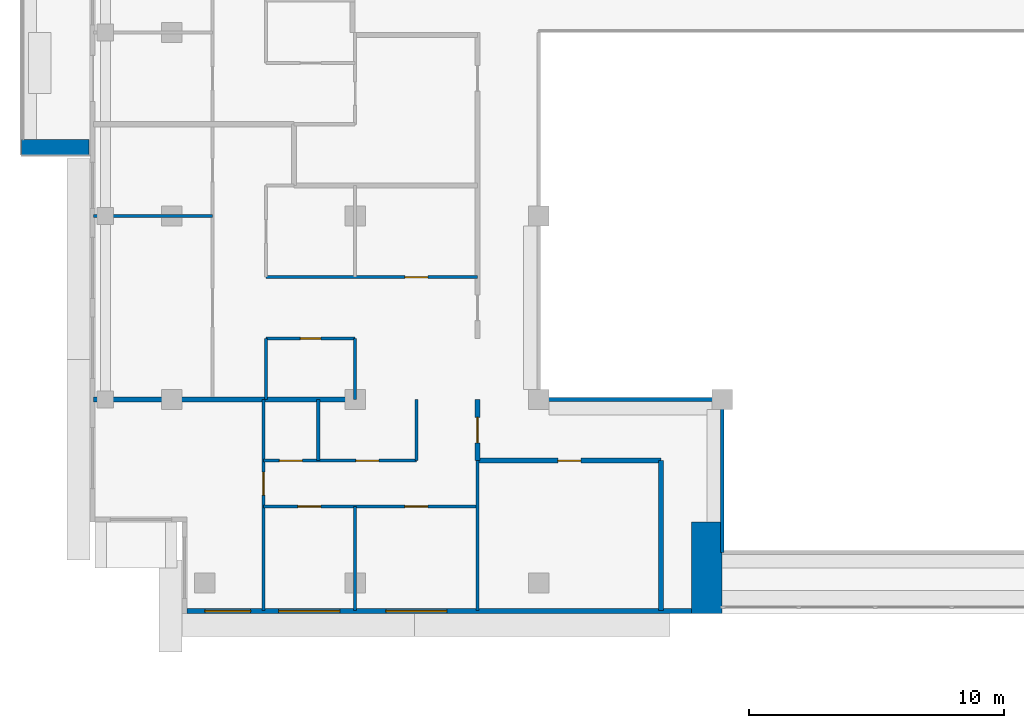
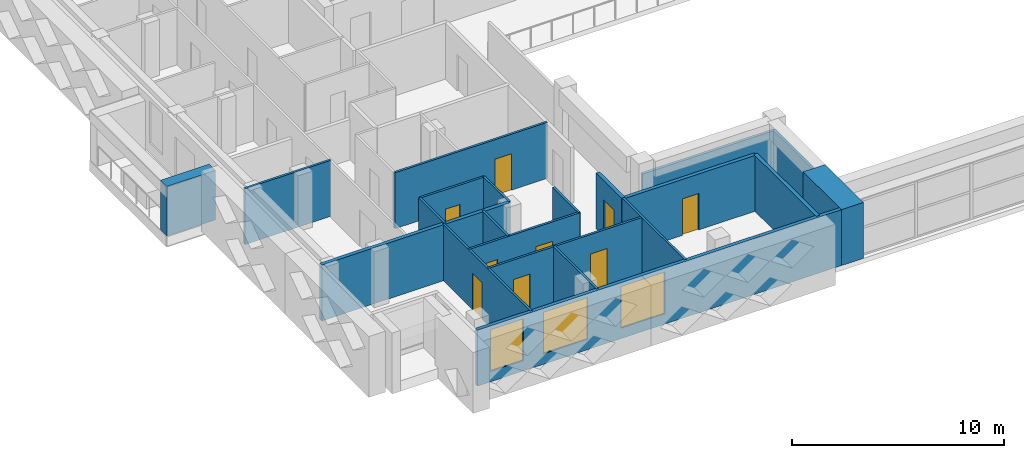
# One storey, part 6 of 19: 21 walls, 9 doors, 3 windows, 12 openings.
"""IFC4 building model written with IfcOpenShell, lengths in metres."""

from ifc_helpers import new_model, si_unit, direction, frame, frame_2d, origin, place, context, subcontext, project, spatial, rectangle, extrude, material, layer, layer_set, type_object, element, fill, save


model = new_model("IFC4")

# Units and contexts
model_context = context("Model", 3, precision=1e-05, world=origin(), true_north=direction((0.0, 1.0)))
body_context = subcontext(model_context, "Body", "Model", "MODEL_VIEW")
ifc_project = project(units=[si_unit("LENGTHUNIT", "METRE"), si_unit("AREAUNIT", "SQUARE_METRE"), si_unit("VOLUMEUNIT", "CUBIC_METRE"), si_unit("PLANEANGLEUNIT", "RADIAN"), si_unit("MASSUNIT", "GRAM", prefix="KILO")], contexts=[model_context])

# Site, building, storey
site_placement = place(None, origin())
site = spatial("IfcSite", under=ifc_project, at=site_placement, CompositionType="ELEMENT")
building_placement = place(site_placement, origin())
building = spatial("IfcBuilding", under=site, at=building_placement, Name="Saffron Iwan Residences", CompositionType="ELEMENT")
storey_placement = place(building_placement, frame((0.0, 0.0, 232.5)))
storey = spatial("IfcBuildingStorey", under=building, at=storey_placement, Name="L62", CompositionType="ELEMENT", Elevation=232.5)

# Walls
ifc_material_1 = material(Name="Fire-rated glazing", Category="glass")
ifc_layer_1 = layer(ifc_material_1, 0.14990234375)
ifc_layer_set_1 = layer_set([ifc_layer_1], Name="Fire-rated glazing")
wall_type_1 = type_object("IfcWallType", Name="Atrium glazed screen 150", PredefinedType="SOLIDWALL", material=ifc_layer_set_1)
wall_1_placement = place(storey_placement, frame((36.0, 48.0, 0.0), z_axis=(0.0, 0.0, 1.0), x_axis=(1.0, 0.0, 0.0)))
element("IfcWall", 1, at=wall_1_placement, inside=storey, type_object=wall_type_1, Name="W-L62-SCREEN-h48-36", PredefinedType="SOLIDWALL", context=body_context, shape_type="SweptSolid", body=[
    extrude(rectangle(XDim=7.199951171875, YDim=0.14990234375, at=frame_2d((3.60009765625, 0.0))), origin(), (0.0, 0.0, 1.0), 2.320068359375),
])
wall_2_placement = place(storey_placement, frame((43.199951171875, 42.0, 0.0), z_axis=(0.0, 0.0, 1.0), x_axis=(0.0, 1.0, 0.0)))
element("IfcWall", 2, at=wall_2_placement, inside=storey, type_object=wall_type_1, Name="W-L62-SCREEN-v43.2-42", PredefinedType="SOLIDWALL", context=body_context, shape_type="SweptSolid", body=[
    extrude(rectangle(XDim=6.0, YDim=0.14990234375, at=frame_2d((3.0, 0.0))), origin(), (0.0, 0.0, 1.0), 2.320068359375),
])
ifc_material_2 = material(Name="Concrete C50/60 white painted", Category="concrete")
ifc_layer_2 = layer(ifc_material_2, 0.60009765625)
ifc_layer_set_2 = layer_set([ifc_layer_2], Name="Concrete C50/60 white painted")
wall_type_2 = type_object("IfcWallType", Name="BALCONY FIN 600", PredefinedType="SOLIDWALL", material=ifc_layer_set_2)
wall_3_placement = place(storey_placement, frame((18.35009765625, 57.89990234375, 0.0), z_axis=(0.0, 0.0, 1.0), x_axis=(-1.0, 0.0, 0.0)))
element("IfcWall", 3, at=wall_3_placement, inside=storey, type_object=wall_type_2, Name="Balcony fin L62 F8-0b", PredefinedType="SOLIDWALL", context=body_context, shape_type="SweptSolid", body=[
    extrude(rectangle(XDim=2.650146484375, YDim=0.60009765625, at=frame_2d((1.3251953125, 0.0))), origin(), (0.0, 0.0, 1.0), 2.85009765625),
])

# Wall, openings, windows
ifc_material_3 = material(Name="Concrete C40/50", Category="concrete")
ifc_layer_3 = layer(ifc_material_3, 0.199951171875)
ifc_layer_set_3 = layer_set([ifc_layer_3], Name="Concrete C40/50")
wall_type_3 = type_object("IfcWallType", Name="EXTERNAL WALL 200", PredefinedType="SOLIDWALL", material=ifc_layer_set_3)
wall_4_placement = place(storey_placement, frame((22.199951171875, 39.699951171875, 0.0), z_axis=(0.0, 0.0, 1.0), x_axis=(1.0, 0.0, 0.0)))
wall_4 = element("IfcWall", 4, at=wall_4_placement, inside=storey, type_object=wall_type_3, Name="External wall L62 F11.0", PredefinedType="SOLIDWALL", context=body_context, shape_type="SweptSolid", body=[
    extrude(rectangle(XDim=19.800048828125, YDim=0.199951171875, at=frame_2d((9.89990234375, 0.0))), origin(), (0.0, 0.0, 1.0), 3.219970703125),
])
opening_1_placement = place(wall_4_placement, frame((0.699951171875, 0.0, 0.60009765625)))
opening_1 = element("IfcOpeningElement", 5, at=opening_1_placement, cuts=wall_4, Name="Opening W8", PredefinedType="OPENING", context=body_context, shape_type="SweptSolid", body=[
    extrude(rectangle(XDim=1.800048828125, YDim=2.39990234375, at=frame_2d((0.89990234375, 1.199951171875))), frame((0.0, 0.10986328125, 0.0), z_axis=(0.0, -1.0, 0.0), x_axis=(1.0, 0.0, 0.0)), (0.0, 0.0, 1.0), 0.219970703125),
])
opening_2_placement = place(wall_4_placement, frame((3.60009765625, 0.0, 0.60009765625)))
opening_2 = element("IfcOpeningElement", 6, at=opening_2_placement, cuts=wall_4, Name="Opening W1", PredefinedType="OPENING", context=body_context, shape_type="SweptSolid", body=[
    extrude(rectangle(XDim=2.39990234375, YDim=2.39990234375, at=frame_2d((1.199951171875, 1.199951171875))), frame((0.0, 0.10986328125, 0.0), z_axis=(0.0, -1.0, 0.0), x_axis=(1.0, 0.0, 0.0)), (0.0, 0.0, 1.0), 0.219970703125),
])
opening_3_placement = place(wall_4_placement, frame((7.800048828125, 0.0, 0.60009765625)))
opening_3 = element("IfcOpeningElement", 7, at=opening_3_placement, cuts=wall_4, Name="Opening W1", PredefinedType="OPENING", context=body_context, shape_type="SweptSolid", body=[
    extrude(rectangle(XDim=2.39990234375, YDim=2.39990234375, at=frame_2d((1.199951171875, 1.199951171875))), frame((0.0, 0.10986328125, 0.0), z_axis=(0.0, -1.0, 0.0), x_axis=(1.0, 0.0, 0.0)), (0.0, 0.0, 1.0), 0.219970703125),
])
ifc_material_4 = material(Name="Clear glass, laminated double glazed", Category="glass")
window_type_1 = type_object("IfcWindowType", Name="WINDOW 1800 x 2400", PartitioningType="DOUBLE_PANEL_VERTICAL", PredefinedType="WINDOW", material=ifc_material_4)
window_1_placement = place(opening_1_placement, origin())
window_1 = element("IfcWindow", 8, at=window_1_placement, inside=storey, type_object=window_type_1, Name="Window L62 F11.0", OverallHeight=2.39990234375, OverallWidth=1.800048828125, PartitioningType="DOUBLE_PANEL_VERTICAL", PredefinedType="WINDOW", context=body_context, shape_type="SweptSolid", body=[
    extrude(rectangle(XDim=1.800048828125, YDim=2.39990234375, at=frame_2d((0.89990234375, 1.199951171875))), frame((0.0, 0.030029296875, 0.0), z_axis=(0.0, -1.0, 0.0), x_axis=(1.0, 0.0, 0.0)), (0.0, 0.0, 1.0), 0.06005859375),
])
fill(opening_1, window_1)
window_type_2 = type_object("IfcWindowType", Name="WINDOW 2400 x 2400", PartitioningType="DOUBLE_PANEL_VERTICAL", PredefinedType="WINDOW", material=ifc_material_4)
window_2_placement = place(opening_2_placement, origin())
window_2 = element("IfcWindow", 9, at=window_2_placement, inside=storey, type_object=window_type_2, Name="Window L62 F11.1", OverallHeight=2.39990234375, OverallWidth=2.39990234375, PartitioningType="DOUBLE_PANEL_VERTICAL", PredefinedType="WINDOW", context=body_context, shape_type="SweptSolid", body=[
    extrude(rectangle(XDim=2.39990234375, YDim=2.39990234375, at=frame_2d((1.199951171875, 1.199951171875))), frame((0.0, 0.030029296875, 0.0), z_axis=(0.0, -1.0, 0.0), x_axis=(1.0, 0.0, 0.0)), (0.0, 0.0, 1.0), 0.06005859375),
])
fill(opening_2, window_2)
window_3_placement = place(opening_3_placement, origin())
window_3 = element("IfcWindow", 10, at=window_3_placement, inside=storey, type_object=window_type_2, Name="Window L62 F11.2", OverallHeight=2.39990234375, OverallWidth=2.39990234375, PartitioningType="DOUBLE_PANEL_VERTICAL", PredefinedType="WINDOW", context=body_context, shape_type="SweptSolid", body=[
    extrude(rectangle(XDim=2.39990234375, YDim=2.39990234375, at=frame_2d((1.199951171875, 1.199951171875))), frame((0.0, 0.030029296875, 0.0), z_axis=(0.0, -1.0, 0.0), x_axis=(1.0, 0.0, 0.0)), (0.0, 0.0, 1.0), 0.06005859375),
])
fill(opening_3, window_3)

# Wall
ifc_material_5 = material(Name="Fire-rated gypsum board wall")
ifc_layer_4 = layer(ifc_material_5, 0.199951171875)
ifc_layer_set_4 = layer_set([ifc_layer_4], Name="Fire-rated gypsum board wall")
wall_type_4 = type_object("IfcWallType", Name="Flat demising wall 200", PredefinedType="SOLIDWALL", material=ifc_layer_set_4)
wall_5_placement = place(storey_placement, frame((18.52490234375, 48.0, 0.0), z_axis=(0.0, 0.0, 1.0), x_axis=(1.0, 0.0, 0.0)))
element("IfcWall", 11, at=wall_5_placement, inside=storey, type_object=wall_type_4, Name="W-L62-DEMISE-h48-18.525", PredefinedType="SOLIDWALL", context=body_context, shape_type="SweptSolid", body=[
    extrude(rectangle(XDim=10.275146484375, YDim=0.199951171875, at=frame_2d((5.1376953125, 0.0))), origin(), (0.0, 0.0, 1.0), 3.219970703125),
])

# Wall, openings, doors
ifc_material_6 = material(Name="Gypsum board partition")
ifc_layer_5 = layer(ifc_material_6, 0.1201171875)
ifc_layer_set_5 = layer_set([ifc_layer_5], Name="Gypsum board partition")
wall_type_5 = type_object("IfcWallType", Name="Flat partition 120", PredefinedType="PARTITIONING", material=ifc_layer_set_5)
wall_6_placement = place(storey_placement, frame((25.199951171875, 43.800048828125, 0.0), z_axis=(0.0, 0.0, 1.0), x_axis=(1.0, 0.0, 0.0)))
wall_6 = element("IfcWall", 12, at=wall_6_placement, inside=storey, type_object=wall_type_5, Name="W-L62-PART-h43.8-25.2", PredefinedType="PARTITIONING", context=body_context, shape_type="SweptSolid", body=[
    extrude(rectangle(XDim=8.400146484375, YDim=0.1201171875, at=frame_2d((4.2001953125, 0.0))), origin(), (0.0, 0.0, 1.0), 3.219970703125),
])
opening_4_placement = place(wall_6_placement, frame((1.35009765625, 0.0, 0.0)))
opening_4 = element("IfcOpeningElement", 13, at=opening_4_placement, cuts=wall_6, Name="Opening FD2", PredefinedType="OPENING", context=body_context, shape_type="SweptSolid", body=[
    extrude(rectangle(XDim=0.89990234375, YDim=2.10009765625, at=frame_2d((0.449951171875, 1.050048828125))), frame((0.0, 0.070068359375, 0.0), z_axis=(0.0, -1.0, 0.0), x_axis=(1.0, 0.0, 0.0)), (0.0, 0.0, 1.0), 0.14013671875),
])
opening_5_placement = place(wall_6_placement, frame((5.550048828125, 0.0, 0.0)))
opening_5 = element("IfcOpeningElement", 14, at=opening_5_placement, cuts=wall_6, Name="Opening FD2", PredefinedType="OPENING", context=body_context, shape_type="SweptSolid", body=[
    extrude(rectangle(XDim=0.89990234375, YDim=2.10009765625, at=frame_2d((0.449951171875, 1.050048828125))), frame((0.0, 0.070068359375, 0.0), z_axis=(0.0, -1.0, 0.0), x_axis=(1.0, 0.0, 0.0)), (0.0, 0.0, 1.0), 0.14013671875),
])
ifc_material_7 = material(Name="Timber door", Category="wood")
door_type_1 = type_object("IfcDoorType", Name="Flat door 900", OperationType="NOTDEFINED", PredefinedType="DOOR", material=ifc_material_7)
door_1_placement = place(opening_4_placement, origin())
door_1 = element("IfcDoor", 15, at=door_1_placement, inside=storey, type_object=door_type_1, Name="Door L62-003", OperationType="SINGLE_SWING_LEFT", OverallHeight=2.10009765625, OverallWidth=0.89990234375, PredefinedType="DOOR", context=body_context, shape_type="SweptSolid", body=[
    extrude(rectangle(XDim=0.89990234375, YDim=2.10009765625, at=frame_2d((0.449951171875, 1.050048828125))), frame((0.0, 0.02490234375, 0.0), z_axis=(0.0, -1.0, 0.0), x_axis=(1.0, 0.0, 0.0)), (0.0, 0.0, 1.0), 0.050048828125),
])
fill(opening_4, door_1)
door_2_placement = place(opening_5_placement, origin())
door_2 = element("IfcDoor", 16, at=door_2_placement, inside=storey, type_object=door_type_1, Name="Door L62-004", OperationType="SINGLE_SWING_LEFT", OverallHeight=2.10009765625, OverallWidth=0.89990234375, PredefinedType="DOOR", context=body_context, shape_type="SweptSolid", body=[
    extrude(rectangle(XDim=0.89990234375, YDim=2.10009765625, at=frame_2d((0.449951171875, 1.050048828125))), frame((0.0, 0.02490234375, 0.0), z_axis=(0.0, -1.0, 0.0), x_axis=(1.0, 0.0, 0.0)), (0.0, 0.0, 1.0), 0.050048828125),
])
fill(opening_5, door_2)

wall_7_placement = place(storey_placement, frame((25.199951171875, 45.60009765625, 0.0), z_axis=(0.0, 0.0, 1.0), x_axis=(1.0, 0.0, 0.0)))
wall_7 = element("IfcWall", 17, at=wall_7_placement, inside=storey, type_object=wall_type_5, Name="W-L62-PART-h45.6-25.2", PredefinedType="PARTITIONING", context=body_context, shape_type="SweptSolid", body=[
    extrude(rectangle(XDim=6.0, YDim=0.1201171875, at=frame_2d((3.0, 0.0))), origin(), (0.0, 0.0, 1.0), 3.219970703125),
])
opening_6_placement = place(wall_7_placement, frame((0.625, 0.0, 0.0)))
opening_6 = element("IfcOpeningElement", 18, at=opening_6_placement, cuts=wall_7, Name="Opening FD2", PredefinedType="OPENING", context=body_context, shape_type="SweptSolid", body=[
    extrude(rectangle(XDim=0.89990234375, YDim=2.10009765625, at=frame_2d((0.449951171875, 1.050048828125))), frame((0.0, 0.070068359375, 0.0), z_axis=(0.0, -1.0, 0.0), x_axis=(1.0, 0.0, 0.0)), (0.0, 0.0, 1.0), 0.14013671875),
])
opening_7_placement = place(wall_7_placement, frame((3.625, 0.0, 0.0)))
opening_7 = element("IfcOpeningElement", 19, at=opening_7_placement, cuts=wall_7, Name="Opening FD2", PredefinedType="OPENING", context=body_context, shape_type="SweptSolid", body=[
    extrude(rectangle(XDim=0.89990234375, YDim=2.10009765625, at=frame_2d((0.449951171875, 1.050048828125))), frame((0.0, 0.070068359375, 0.0), z_axis=(0.0, -1.0, 0.0), x_axis=(1.0, 0.0, 0.0)), (0.0, 0.0, 1.0), 0.14013671875),
])
door_3_placement = place(opening_6_placement, origin())
door_3 = element("IfcDoor", 20, at=door_3_placement, inside=storey, type_object=door_type_1, Name="Door L62-005", OperationType="SINGLE_SWING_RIGHT", OverallHeight=2.10009765625, OverallWidth=0.89990234375, PredefinedType="DOOR", context=body_context, shape_type="SweptSolid", body=[
    extrude(rectangle(XDim=0.89990234375, YDim=2.10009765625, at=frame_2d((0.449951171875, 1.050048828125))), frame((0.0, 0.02490234375, 0.0), z_axis=(0.0, -1.0, 0.0), x_axis=(1.0, 0.0, 0.0)), (0.0, 0.0, 1.0), 0.050048828125),
])
fill(opening_6, door_3)
door_4_placement = place(opening_7_placement, origin())
door_4 = element("IfcDoor", 21, at=door_4_placement, inside=storey, type_object=door_type_1, Name="Door L62-006", OperationType="SINGLE_SWING_LEFT", OverallHeight=2.10009765625, OverallWidth=0.89990234375, PredefinedType="DOOR", context=body_context, shape_type="SweptSolid", body=[
    extrude(rectangle(XDim=0.89990234375, YDim=2.10009765625, at=frame_2d((0.449951171875, 1.050048828125))), frame((0.0, 0.02490234375, 0.0), z_axis=(0.0, -1.0, 0.0), x_axis=(1.0, 0.0, 0.0)), (0.0, 0.0, 1.0), 0.050048828125),
])
fill(opening_7, door_4)

# Wall, opening, door
wall_8_placement = place(storey_placement, frame((25.300048828125, 50.39990234375, 0.0), z_axis=(0.0, 0.0, 1.0), x_axis=(1.0, 0.0, 0.0)))
wall_8 = element("IfcWall", 22, at=wall_8_placement, inside=storey, type_object=wall_type_5, Name="W-L62-PART-h50.4-25.3", PredefinedType="PARTITIONING", context=body_context, shape_type="SweptSolid", body=[
    extrude(rectangle(XDim=3.5, YDim=0.1201171875, at=frame_2d((1.75, 0.0))), origin(), (0.0, 0.0, 1.0), 3.219970703125),
])
opening_8_placement = place(wall_8_placement, frame((1.35009765625, 0.0, 0.0)))
opening_8 = element("IfcOpeningElement", 23, at=opening_8_placement, cuts=wall_8, Name="Opening FD3", PredefinedType="OPENING", context=body_context, shape_type="SweptSolid", body=[
    extrude(rectangle(XDim=0.800048828125, YDim=2.10009765625, at=frame_2d((0.39990234375, 1.050048828125))), frame((0.0, 0.070068359375, 0.0), z_axis=(0.0, -1.0, 0.0), x_axis=(1.0, 0.0, 0.0)), (0.0, 0.0, 1.0), 0.14013671875),
])
door_type_2 = type_object("IfcDoorType", Name="Bathroom door 800", OperationType="NOTDEFINED", PredefinedType="DOOR", material=ifc_material_7)
door_5_placement = place(opening_8_placement, origin())
door_5 = element("IfcDoor", 24, at=door_5_placement, inside=storey, type_object=door_type_2, Name="Door L62-011", OperationType="SINGLE_SWING_RIGHT", OverallHeight=2.10009765625, OverallWidth=0.800048828125, PredefinedType="DOOR", context=body_context, shape_type="SweptSolid", body=[
    extrude(rectangle(XDim=0.800048828125, YDim=2.10009765625, at=frame_2d((0.39990234375, 1.050048828125))), frame((0.0, 0.02490234375, 0.0), z_axis=(0.0, -1.0, 0.0), x_axis=(1.0, 0.0, 0.0)), (0.0, 0.0, 1.0), 0.050048828125),
])
fill(opening_8, door_5)

wall_9_placement = place(storey_placement, frame((25.300048828125, 52.800048828125, 0.0), z_axis=(0.0, 0.0, 1.0), x_axis=(1.0, 0.0, 0.0)))
wall_9 = element("IfcWall", 25, at=wall_9_placement, inside=storey, type_object=wall_type_5, Name="W-L62-PART-h52.8-25.3", PredefinedType="PARTITIONING", context=body_context, shape_type="SweptSolid", body=[
    extrude(rectangle(XDim=8.300048828125, YDim=0.1201171875, at=frame_2d((4.14990234375, 0.0))), origin(), (0.0, 0.0, 1.0), 3.219970703125),
])
opening_9_placement = place(wall_9_placement, frame((5.449951171875, 0.0, 0.0)))
opening_9 = element("IfcOpeningElement", 26, at=opening_9_placement, cuts=wall_9, Name="Opening FD2", PredefinedType="OPENING", context=body_context, shape_type="SweptSolid", body=[
    extrude(rectangle(XDim=0.89990234375, YDim=2.10009765625, at=frame_2d((0.449951171875, 1.050048828125))), frame((0.0, 0.070068359375, 0.0), z_axis=(0.0, -1.0, 0.0), x_axis=(1.0, 0.0, 0.0)), (0.0, 0.0, 1.0), 0.14013671875),
])
door_6_placement = place(opening_9_placement, origin())
door_6 = element("IfcDoor", 27, at=door_6_placement, inside=storey, type_object=door_type_1, Name="Door L62-013", OperationType="SINGLE_SWING_LEFT", OverallHeight=2.10009765625, OverallWidth=0.89990234375, PredefinedType="DOOR", context=body_context, shape_type="SweptSolid", body=[
    extrude(rectangle(XDim=0.89990234375, YDim=2.10009765625, at=frame_2d((0.449951171875, 1.050048828125))), frame((0.0, 0.02490234375, 0.0), z_axis=(0.0, -1.0, 0.0), x_axis=(1.0, 0.0, 0.0)), (0.0, 0.0, 1.0), 0.050048828125),
])
fill(opening_9, door_6)

# Wall
wall_10_placement = place(storey_placement, frame((18.52490234375, 55.199951171875, 0.0), z_axis=(0.0, 0.0, 1.0), x_axis=(1.0, 0.0, 0.0)))
element("IfcWall", 28, at=wall_10_placement, inside=storey, type_object=wall_type_5, Name="W-L62-PART-h55.2-18.525", PredefinedType="PARTITIONING", context=body_context, shape_type="SweptSolid", body=[
    extrude(rectangle(XDim=4.675048828125, YDim=0.1201171875, at=frame_2d((2.33740234375, 0.0))), origin(), (0.0, 0.0, 1.0), 3.219970703125),
])

# Wall, opening, door
wall_11_placement = place(storey_placement, frame((25.199951171875, 39.72509765625, 0.0), z_axis=(0.0, 0.0, 1.0), x_axis=(0.0, 1.0, 0.0)))
wall_11 = element("IfcWall", 29, at=wall_11_placement, inside=storey, type_object=wall_type_5, Name="W-L62-PART-v25.2-39.725", PredefinedType="PARTITIONING", context=body_context, shape_type="SweptSolid", body=[
    extrude(rectangle(XDim=8.27490234375, YDim=0.1201171875, at=frame_2d((4.137451171875, 0.0))), origin(), (0.0, 0.0, 1.0), 3.219970703125),
])
opening_10_placement = place(wall_11_placement, frame((4.52490234375, 0.0, 0.0)))
opening_10 = element("IfcOpeningElement", 30, at=opening_10_placement, cuts=wall_11, Name="Opening FD2", PredefinedType="OPENING", context=body_context, shape_type="SweptSolid", body=[
    extrude(rectangle(XDim=0.89990234375, YDim=2.10009765625, at=frame_2d((0.449951171875, 1.050048828125))), frame((0.0, 0.070068359375, 0.0), z_axis=(0.0, -1.0, 0.0), x_axis=(1.0, 0.0, 0.0)), (0.0, 0.0, 1.0), 0.14013671875),
])
door_7_placement = place(opening_10_placement, origin())
door_7 = element("IfcDoor", 31, at=door_7_placement, inside=storey, type_object=door_type_1, Name="Door L62-002", OperationType="SINGLE_SWING_RIGHT", OverallHeight=2.10009765625, OverallWidth=0.89990234375, PredefinedType="DOOR", context=body_context, shape_type="SweptSolid", body=[
    extrude(rectangle(XDim=0.89990234375, YDim=2.10009765625, at=frame_2d((0.449951171875, 1.050048828125))), frame((0.0, 0.02490234375, 0.0), z_axis=(0.0, -1.0, 0.0), x_axis=(1.0, 0.0, 0.0)), (0.0, 0.0, 1.0), 0.050048828125),
])
fill(opening_10, door_7)

# Walls
for number, where, z_axis, x_axis, name in (
    (32, (25.300048828125, 48.0, 0.0), (0.0, 0.0, 1.0), (0.0, 1.0, 0.0), "W-L62-PART-v25.3-48"),
    (33, (27.35009765625, 45.60009765625, 0.0), (0.0, 0.0, 1.0), (0.0, 1.0, 0.0), "W-L62-PART-v27.35-45.6"),
):
    element("IfcWall", number, at=place(storey_placement, frame(where, z_axis=z_axis, x_axis=x_axis)), inside=storey, type_object=wall_type_5, Name=name, PredefinedType="PARTITIONING", context=body_context, shape_type="SweptSolid", body=[
        extrude(rectangle(XDim=2.39990234375, YDim=0.1201171875, at=frame_2d((1.199951171875, 0.0))), origin(), (0.0, 0.0, 1.0), 3.219970703125),
    ])
wall_12_placement = place(storey_placement, frame((28.800048828125, 39.72509765625, 0.0), z_axis=(0.0, 0.0, 1.0), x_axis=(0.0, 1.0, 0.0)))
element("IfcWall", 34, at=wall_12_placement, inside=storey, type_object=wall_type_5, Name="W-L62-PART-v28.8-39.725", PredefinedType="PARTITIONING", context=body_context, shape_type="SweptSolid", body=[
    extrude(rectangle(XDim=4.074951171875, YDim=0.1201171875, at=frame_2d((2.03759765625, 0.0))), origin(), (0.0, 0.0, 1.0), 3.219970703125),
])
for number, where, z_axis, x_axis, name in (
    (35, (28.800048828125, 48.0, 0.0), (0.0, 0.0, 1.0), (0.0, 1.0, 0.0), "W-L62-PART-v28.8-48"),
    (36, (31.199951171875, 45.60009765625, 0.0), (0.0, 0.0, 1.0), (0.0, 1.0, 0.0), "W-L62-PART-v31.2-45.6"),
):
    element("IfcWall", number, at=place(storey_placement, frame(where, z_axis=z_axis, x_axis=x_axis)), inside=storey, type_object=wall_type_5, Name=name, PredefinedType="PARTITIONING", context=body_context, shape_type="SweptSolid", body=[
        extrude(rectangle(XDim=2.39990234375, YDim=0.1201171875, at=frame_2d((1.199951171875, 0.0))), origin(), (0.0, 0.0, 1.0), 3.219970703125),
    ])
wall_13_placement = place(storey_placement, frame((33.60009765625, 39.72509765625, 0.0), z_axis=(0.0, 0.0, 1.0), x_axis=(0.0, 1.0, 0.0)))
element("IfcWall", 37, at=wall_13_placement, inside=storey, type_object=wall_type_5, Name="W-L62-PART-v33.6-39.725", PredefinedType="PARTITIONING", context=body_context, shape_type="SweptSolid", body=[
    extrude(rectangle(XDim=5.875, YDim=0.1201171875, at=frame_2d((2.9375, 0.0))), origin(), (0.0, 0.0, 1.0), 3.219970703125),
])

# Wall, opening, door
ifc_layer_6 = layer(ifc_material_5, 0.199951171875)
ifc_layer_set_6 = layer_set([ifc_layer_6], Name="Fire-rated gypsum board wall")
wall_type_6 = type_object("IfcWallType", Name="Gallery wall 200", PredefinedType="SOLIDWALL", material=ifc_layer_set_6)
wall_14_placement = place(storey_placement, frame((33.60009765625, 45.60009765625, 0.0), z_axis=(0.0, 0.0, 1.0), x_axis=(1.0, 0.0, 0.0)))
wall_14 = element("IfcWall", 38, at=wall_14_placement, inside=storey, type_object=wall_type_6, Name="W-L62-CORR-h45.6-33.6", PredefinedType="SOLIDWALL", context=body_context, shape_type="SweptSolid", body=[
    extrude(rectangle(XDim=7.199951171875, YDim=0.199951171875, at=frame_2d((3.60009765625, 0.0))), origin(), (0.0, 0.0, 1.0), 3.219970703125),
])
opening_11_placement = place(wall_14_placement, frame((3.14990234375, 0.0, 0.0)))
opening_11 = element("IfcOpeningElement", 39, at=opening_11_placement, cuts=wall_14, Name="Opening FD2", PredefinedType="OPENING", context=body_context, shape_type="SweptSolid", body=[
    extrude(rectangle(XDim=0.89990234375, YDim=2.10009765625, at=frame_2d((0.449951171875, 1.050048828125))), frame((0.0, 0.10986328125, 0.0), z_axis=(0.0, -1.0, 0.0), x_axis=(1.0, 0.0, 0.0)), (0.0, 0.0, 1.0), 0.219970703125),
])
door_8_placement = place(opening_11_placement, origin())
door_8 = element("IfcDoor", 40, at=door_8_placement, inside=storey, type_object=door_type_1, Name="Door L62-007", OperationType="SINGLE_SWING_LEFT", OverallHeight=2.10009765625, OverallWidth=0.89990234375, PredefinedType="DOOR", context=body_context, shape_type="SweptSolid", body=[
    extrude(rectangle(XDim=0.89990234375, YDim=2.10009765625, at=frame_2d((0.449951171875, 1.050048828125))), frame((0.0, 0.02490234375, 0.0), z_axis=(0.0, -1.0, 0.0), x_axis=(1.0, 0.0, 0.0)), (0.0, 0.0, 1.0), 0.050048828125),
])
fill(opening_11, door_8)

wall_15_placement = place(storey_placement, frame((33.60009765625, 45.60009765625, 0.0), z_axis=(0.0, 0.0, 1.0), x_axis=(0.0, 1.0, 0.0)))
wall_15 = element("IfcWall", 41, at=wall_15_placement, inside=storey, type_object=wall_type_6, Name="W-L62-CORR-v33.6-45.6", PredefinedType="SOLIDWALL", context=body_context, shape_type="SweptSolid", body=[
    extrude(rectangle(XDim=2.39990234375, YDim=0.199951171875, at=frame_2d((1.199951171875, 0.0))), origin(), (0.0, 0.0, 1.0), 3.219970703125),
])
opening_12_placement = place(wall_15_placement, frame((0.699951171875, 0.0, 0.0)))
opening_12 = element("IfcOpeningElement", 42, at=opening_12_placement, cuts=wall_15, Name="Opening FD1", PredefinedType="OPENING", context=body_context, shape_type="SweptSolid", body=[
    extrude(rectangle(XDim=1.0, YDim=2.10009765625, at=frame_2d((0.5, 1.050048828125))), frame((0.0, 0.10986328125, 0.0), z_axis=(0.0, -1.0, 0.0), x_axis=(1.0, 0.0, 0.0)), (0.0, 0.0, 1.0), 0.219970703125),
])
ifc_material_8 = material(Name="Fire-rated timber door", Category="wood")
door_type_3 = type_object("IfcDoorType", Name="FD30S flat entrance door 1000", OperationType="NOTDEFINED", PredefinedType="DOOR", material=ifc_material_8)
door_9_placement = place(opening_12_placement, origin())
door_9 = element("IfcDoor", 43, at=door_9_placement, inside=storey, type_object=door_type_3, Name="Door L62-001", OperationType="SINGLE_SWING_LEFT", OverallHeight=2.10009765625, OverallWidth=1.0, PredefinedType="DOOR", context=body_context, shape_type="SweptSolid", body=[
    extrude(rectangle(XDim=1.0, YDim=2.10009765625, at=frame_2d((0.5, 1.050048828125))), frame((0.0, 0.02490234375, 0.0), z_axis=(0.0, -1.0, 0.0), x_axis=(1.0, 0.0, 0.0)), (0.0, 0.0, 1.0), 0.050048828125),
])
fill(opening_12, door_9)

# Walls
wall_16_placement = place(storey_placement, frame((40.800048828125, 39.72509765625, 0.0), z_axis=(0.0, 0.0, 1.0), x_axis=(0.0, 1.0, 0.0)))
element("IfcWall", 44, at=wall_16_placement, inside=storey, type_object=wall_type_6, Name="W-L62-CORR-v40.8-39.725", PredefinedType="SOLIDWALL", context=body_context, shape_type="SweptSolid", body=[
    extrude(rectangle(XDim=5.875, YDim=0.199951171875, at=frame_2d((2.9375, 0.0))), origin(), (0.0, 0.0, 1.0), 3.219970703125),
])
ifc_layer_7 = layer(ifc_material_3, 1.199951171875)
ifc_layer_set_7 = layer_set([ifc_layer_7], Name="Concrete C40/50")
wall_type_7 = type_object("IfcWallType", Name="WALL IWAN PIER 1200 C40/50 3220 HIGH", PredefinedType="SHEAR", material=ifc_layer_set_7)
wall_17_placement = place(storey_placement, frame((42.60009765625, 39.60009765625, 0.0), z_axis=(0.0, 0.0, 1.0), x_axis=(0.0, 1.0, 0.0)))
element("IfcWall", 45, at=wall_17_placement, inside=storey, type_object=wall_type_7, Name="IWAN PIER", PredefinedType="SHEAR", context=body_context, shape_type="SweptSolid", body=[
    extrude(rectangle(XDim=3.599853515625, YDim=1.199951171875, at=frame_2d((1.7998046875, 0.0))), origin(), (0.0, 0.0, 1.0), 3.219970703125),
])

save(model, "model.ifc")
